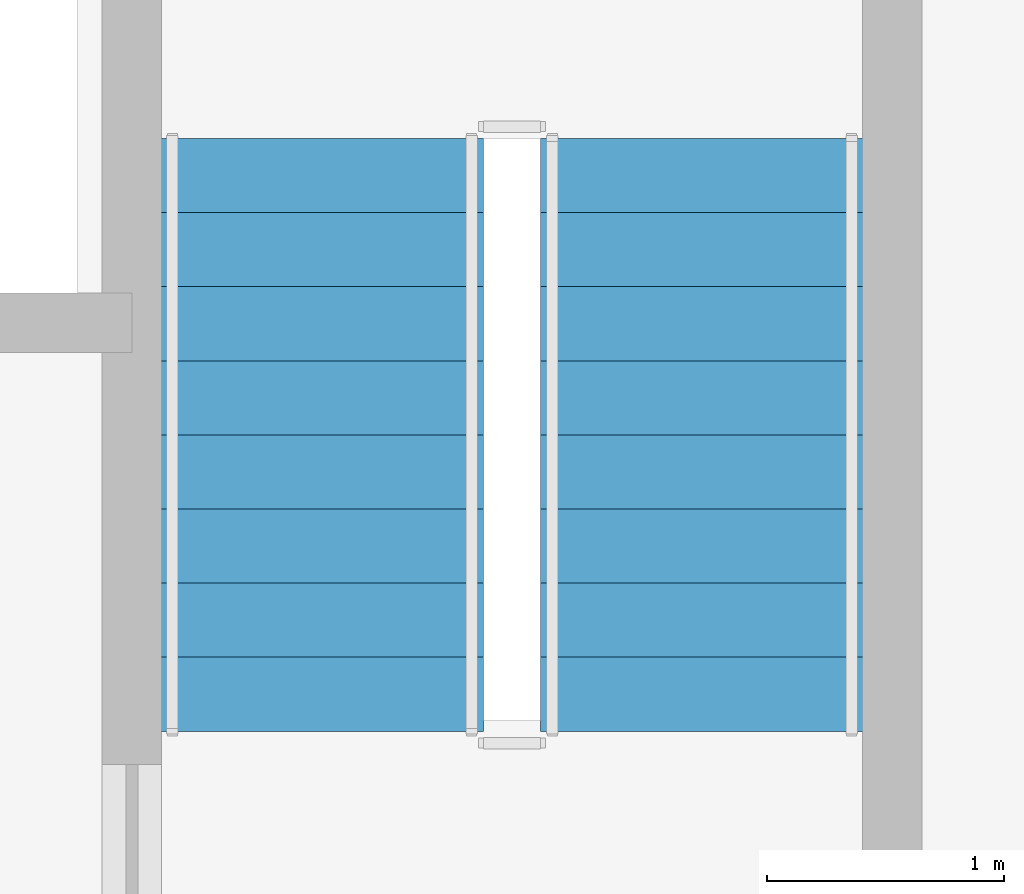
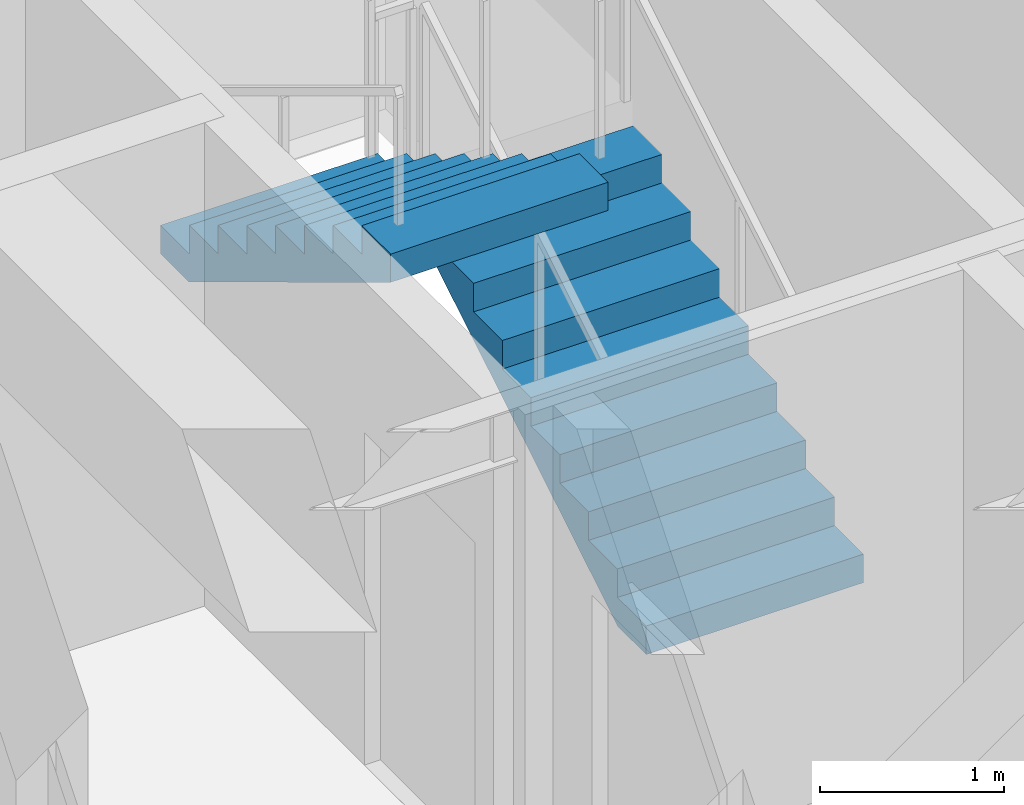
# One storey, part 11 of 14: 2 stair flights, 1 element without a shape of its own.
"""IFC4 building model written with IfcOpenShell, lengths in metres."""

from ifc_helpers import new_model, si_unit, direction, frame, origin, place, context, subcontext, project, spatial, polyline, outline, extrude, material, type_object, element, aggregate, save


model = new_model("IFC4")

# Units and contexts
model_context = context("Model", 3, precision=1e-05, world=origin(), true_north=direction((0.0, 1.0)))
body_context = subcontext(model_context, "Body", "Model", "MODEL_VIEW")
ifc_project = project(units=[si_unit("LENGTHUNIT", "METRE"), si_unit("AREAUNIT", "SQUARE_METRE"), si_unit("VOLUMEUNIT", "CUBIC_METRE"), si_unit("PLANEANGLEUNIT", "RADIAN"), si_unit("MASSUNIT", "GRAM", prefix="KILO")], contexts=[model_context])

# Site, building, storey
site_placement = place(None, origin())
site = spatial("IfcSite", under=ifc_project, at=site_placement, CompositionType="ELEMENT")
building_placement = place(site_placement, origin())
building = spatial("IfcBuilding", under=site, at=building_placement, Name="Keilestroom Media Tower", CompositionType="ELEMENT")
storey_placement = place(building_placement, frame((0.0, 0.0, 110.800048828125)))
storey = spatial("IfcBuildingStorey", under=building, at=storey_placement, Name="L29", CompositionType="ELEMENT", Elevation=110.800048828125)

# Stair, stair flights
ifc_material_1 = material(Name="Concrete C45/55", Category="concrete")
stair_type = type_object("IfcStairType", Name="Enclosed-Dog-Leg-Stair-ST-CORE", PredefinedType="HALF_TURN_STAIR", material=ifc_material_1)
stair_placement = place(storey_placement, origin())
stair = element("IfcStair", 1, at=stair_placement, inside=storey, type_object=stair_type, Name="L29 East Core Escape Stair ST-2", PredefinedType="HALF_TURN_STAIR")
ifc_material_2 = material(Name="Precast concrete C40/50", Category="concrete")
stair_flight_type = type_object("IfcStairFlightType", Name="Precast-Concrete-Stair-Flight-Core-160", PredefinedType="STRAIGHT", material=ifc_material_2)
stair_flight_1_placement = place(storey_placement, frame((10.580078125, 1.5, 0.0), z_axis=(0.0, 0.0, 1.0), x_axis=(0.0, 1.0, 0.0)))
stair_flight_1 = element("IfcStairFlight", 2, at=stair_flight_1_placement, type_object=stair_flight_type, Name="ST-2 flight 1", NumberOfRisers=9, NumberOfTreads=8, PredefinedType="STRAIGHT", RiserHeight=0.188888889, TreadLength=0.312, context=body_context, shape_type="SweptSolid", body=[
    extrude(outline(polyline([(0.0, 0.0), (0.0, 0.18896484375), (0.31201171875, 0.18896484375), (0.31201171875, 0.377685546875), (0.6240234375, 0.377685546875), (0.6240234375, 0.566650390625), (0.93603515625, 0.566650390625), (0.93603515625, 0.755615234375), (1.248046875, 0.755615234375), (1.248046875, 0.9443359375), (1.56005859375, 0.9443359375), (1.56005859375, 1.13330078125), (1.8720703125, 1.13330078125), (1.8720703125, 1.322265625), (2.18408203125, 1.322265625), (2.18408203125, 1.51123046875), (2.49609375, 1.51123046875), (2.49609375, 1.699951171875), (2.49609375, 1.32421875), (0.308837890625, 0.0), (0.0, 0.0)])), frame((0.0, 0.68017578125, 0.0), z_axis=(0.0, -1.0, 0.0), x_axis=(1.0, 0.0, 0.0)), (0.0, 0.0, 1.0), 1.360107421875),
])
stair_flight_2_placement = place(storey_placement, frame((8.97998046875, 3.99609375, 1.699951171875), z_axis=(0.0, 0.0, 1.0), x_axis=(0.0, -1.0, 0.0)))
stair_flight_2 = element("IfcStairFlight", 3, at=stair_flight_2_placement, type_object=stair_flight_type, Name="ST-2 flight 2", NumberOfRisers=9, NumberOfTreads=8, PredefinedType="STRAIGHT", RiserHeight=0.188888889, TreadLength=0.312, context=body_context, shape_type="SweptSolid", body=[
    extrude(outline(polyline([(0.0, 0.0), (0.0, 0.18896484375), (0.31201171875, 0.18896484375), (0.31201171875, 0.377685546875), (0.6240234375, 0.377685546875), (0.6240234375, 0.566650390625), (0.93603515625, 0.566650390625), (0.93603515625, 0.755615234375), (1.248046875, 0.755615234375), (1.248046875, 0.9443359375), (1.56005859375, 0.9443359375), (1.56005859375, 1.13330078125), (1.8720703125, 1.13330078125), (1.8720703125, 1.322265625), (2.18408203125, 1.322265625), (2.18408203125, 1.51123046875), (2.49609375, 1.51123046875), (2.49609375, 1.699951171875), (2.49609375, 1.32421875), (0.308837890625, 0.0), (0.0, 0.0)])), frame((0.0, 0.68017578125, 0.0), z_axis=(0.0, -1.0, 0.0), x_axis=(1.0, 0.0, 0.0)), (0.0, 0.0, 1.0), 1.360107421875),
])
aggregate(stair, [stair_flight_1, stair_flight_2])

save(model, "model.ifc")
